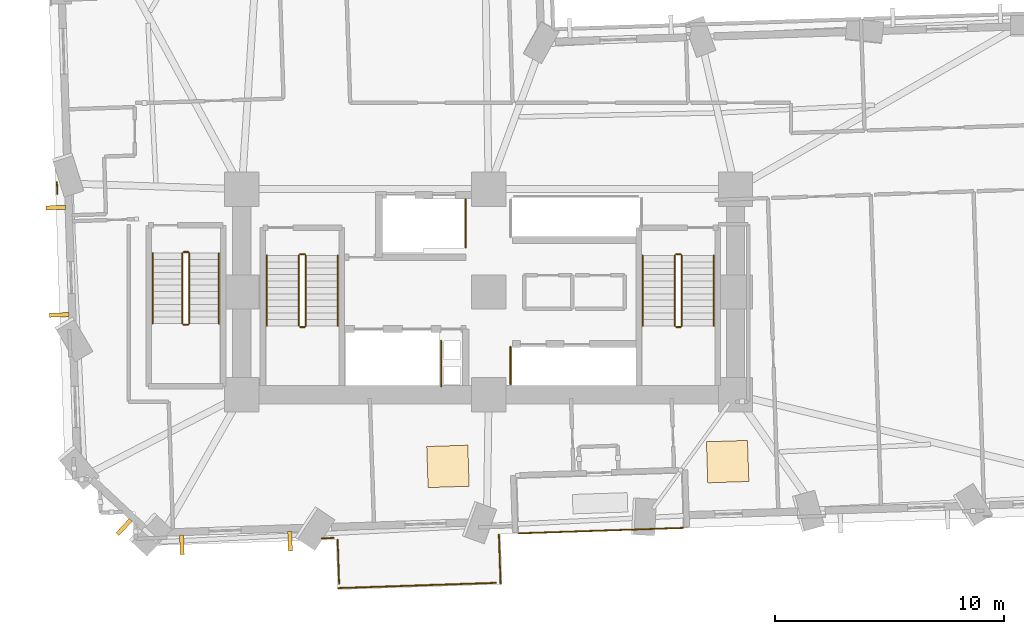
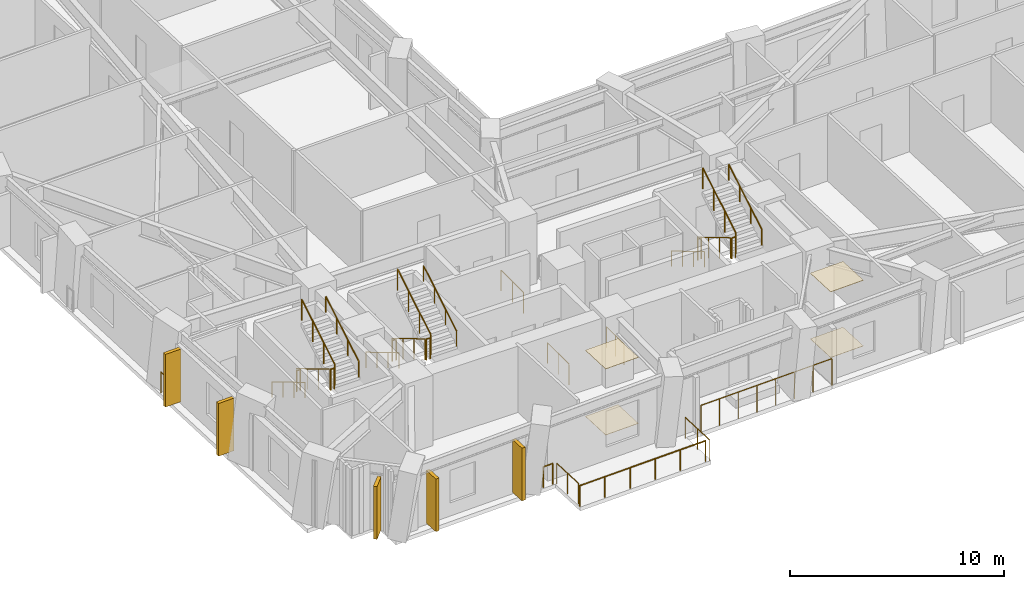
# One storey, part 11 of 14: 27 railings, 5 shading devices, 4 coverings.
"""IFC4 building model written with IfcOpenShell, lengths in metres."""

import ifcopenshell
import ifcopenshell.guid

model = None  # the IFC model being written
_history = None  # IfcOwnerHistory: only IFC2X3 demands one
_inside = {}  # id of a spatial element -> (the spatial element, [elements in it])
_under = {}  # id of a project, library or spatial element -> (it, [spatial elements below it])
_declared = {}  # id of a project -> (the project, [libraries it declares])
_typed = {}  # id of a type object -> (the type object, [elements of that type])
_made_of = {}  # id of a material, layer set ... -> (it, [elements and type objects made of it])


def new_model(schema):
    """Start an empty IFC model of exactly this schema.

    Asked for "IFC4X3", IfcOpenShell would pick the latest addendum, in which some entities
    have other attributes; the version numbers below select the first issue.
    IFC2X3 requires an IfcOwnerHistory on every rooted entity: one is made here for all.
    """
    global model, _history
    if schema == "IFC4X3":
        model = ifcopenshell.file(schema_version=(4, 3, 0, 0))
    else:
        model = ifcopenshell.file(schema=schema)
    _inside.clear()
    _under.clear()
    _declared.clear()
    _typed.clear()
    _made_of.clear()
    _history = None
    if model.schema == "IFC2X3":
        org = make("IfcOrganization", Name="unknown")
        user = make(
            "IfcPersonAndOrganization",
            ThePerson=make("IfcPerson", FamilyName="unknown"),
            TheOrganization=org,
        )
        app = make(
            "IfcApplication",
            ApplicationDeveloper=org,
            Version="unknown",
            ApplicationFullName="unknown",
            ApplicationIdentifier="unknown",
        )
        _history = make(
            "IfcOwnerHistory",
            OwningUser=user,
            OwningApplication=app,
            ChangeAction="ADDED",
            CreationDate=0,
        )
    return model


def make(cls, **values):
    """One entity of the class cls with the attributes given. An attribute that is None is left unset."""
    return model.create_entity(
        cls, **{name: value for name, value in values.items() if value is not None}
    )


def rooted(cls, **values):
    """An entity with a GlobalId (a new one), such as an element, a storey or a relation."""
    return make(cls, GlobalId=ifcopenshell.guid.new(), OwnerHistory=_history, **values)


def si_unit(unit_type, name, prefix=None):
    """IfcSIUnit, for example si_unit("LENGTHUNIT", "METRE", prefix="MILLI")."""
    return make("IfcSIUnit", UnitType=unit_type, Prefix=prefix, Name=name)


def assignment(units):
    """IfcUnitAssignment: the units of a project."""
    return None if units is None else make("IfcUnitAssignment", Units=units)


def point(xyz):
    """IfcCartesianPoint."""
    return None if xyz is None else make("IfcCartesianPoint", Coordinates=xyz)


def direction(xyz):
    """IfcDirection."""
    return None if xyz is None else make("IfcDirection", DirectionRatios=xyz)


def frame(location, z_axis=None, x_axis=None):
    """IfcAxis2Placement3D, a coordinate frame: its origin and axes. An axis left out is left unset."""
    return make(
        "IfcAxis2Placement3D",
        Location=point(location),
        Axis=direction(z_axis),
        RefDirection=direction(x_axis),
    )


def frame_2d(location, x_axis=None):
    """IfcAxis2Placement2D, a coordinate frame in the plane: its origin and x axis."""
    return make(
        "IfcAxis2Placement2D", Location=point(location), RefDirection=direction(x_axis)
    )


def origin():
    """The frame at (0, 0, 0) with its axes left unset."""
    return frame((0.0, 0.0, 0.0))


def origin_2d():
    """The frame at (0, 0) in the plane with its x axis left unset."""
    return frame_2d((0.0, 0.0))


def place(relative_to, where):
    """IfcLocalPlacement: puts the frame where relative to a parent placement (None: the world)."""
    return make(
        "IfcLocalPlacement", PlacementRelTo=relative_to, RelativePlacement=where
    )


def context(
    kind, dimensions, precision=None, world=None, true_north=None, identifier=None
):
    """IfcGeometricRepresentationContext, for example the 3D "Model" context."""
    return make(
        "IfcGeometricRepresentationContext",
        ContextIdentifier=identifier,
        ContextType=kind,
        CoordinateSpaceDimension=dimensions,
        Precision=precision,
        WorldCoordinateSystem=world,
        TrueNorth=true_north,
    )


def subcontext(parent, identifier, kind, view, scale=None):
    """IfcGeometricRepresentationSubContext, for example "Body" below "Model"."""
    return make(
        "IfcGeometricRepresentationSubContext",
        ContextIdentifier=identifier,
        ContextType=kind,
        ParentContext=parent,
        TargetScale=scale,
        TargetView=view,
    )


def project(units=None, contexts=None):
    """IfcProject with its units and contexts."""
    return rooted(
        "IfcProject",
        Name="project",
        RepresentationContexts=contexts,
        UnitsInContext=assignment(units),
    )


def spatial(cls, under=None, at=None, **own):
    """A site, building, storey or space (cls), placed at a placement, below another one or the project."""
    s = rooted(cls, ObjectPlacement=at, **own)
    if under is not None:
        _under.setdefault(under.id(), (under, []))[1].append(s)
    return s


def profile(cls, at=None, kind="AREA", **sizes):
    """A parametric profile (cls). Its sizes go by their IFC names, for example OverallWidth=200.0."""
    return make(cls, ProfileType=kind, Position=at, **sizes)


def rectangle(**sizes):
    """IfcRectangleProfileDef."""
    return profile("IfcRectangleProfileDef", **sizes)


def circle(**sizes):
    """IfcCircleProfileDef."""
    return profile("IfcCircleProfileDef", **sizes)


def extrude(swept, where, along, depth):
    """IfcExtrudedAreaSolid: the profile swept, set in the frame where, extruded along a direction by depth."""
    return make(
        "IfcExtrudedAreaSolid",
        SweptArea=swept,
        Position=where,
        ExtrudedDirection=direction(along),
        Depth=depth,
    )


def shape(context_of_items, identifier, shape_type, items):
    """IfcShapeRepresentation: the items that make up one representation, for example the "Body"."""
    return make(
        "IfcShapeRepresentation",
        ContextOfItems=context_of_items,
        RepresentationIdentifier=identifier,
        RepresentationType=shape_type,
        Items=items,
    )


def material(Name=None, Category=None):
    """IfcMaterial."""
    return make("IfcMaterial", Name=Name, Category=Category)


def layer(
    of_material, thickness, ventilated=None, Name=None, Category=None, Priority=None
):
    """IfcMaterialLayer: one layer of a wall or slab, of a material (None: an air gap)."""
    return make(
        "IfcMaterialLayer",
        Material=of_material,
        LayerThickness=thickness,
        IsVentilated=ventilated,
        Name=Name,
        Category=Category,
        Priority=Priority,
    )


def layer_set(layers, Name=None):
    """IfcMaterialLayerSet."""
    return make("IfcMaterialLayerSet", MaterialLayers=layers, LayerSetName=Name)


def made_of(thing, what):
    """Note that an element or type object is made of a material, layer set ...; save() writes the relation."""
    if what is not None:
        _made_of.setdefault(what.id(), (what, []))[1].append(thing)
    return thing


def type_object(cls, material=None, **own):
    """A type object (cls), such as IfcWallType, which elements share."""
    return made_of(rooted(cls, **own), material)


def element(
    cls,
    number,
    at=None,
    inside=None,
    cuts=None,
    type_object=None,
    material=None,
    context=None,
    identifier="Body",
    shape_type=None,
    held_by="IfcProductDefinitionShape",
    body=None,
    shapes=None,
    **own,
):
    """One element of the class cls, such as IfcWall. Its Tag is "e" and its number.

    at: its placement. inside: the storey or other place that contains it. cuts: it is an
    opening in that element (IfcRelVoidsElement). A single representation is given by context,
    identifier, shape_type and body (its items); several are given by shapes. held_by: the class
    of the entity that holds the representations. save() writes the other relations.
    """
    e = rooted(cls, Tag="e%d" % number, ObjectPlacement=at, **own)
    if body is not None:
        shapes = [shape(context, identifier, shape_type, body)]
    if shapes is not None:
        e.Representation = make(held_by, Representations=shapes)
    if inside is not None:
        _inside.setdefault(inside.id(), (inside, []))[1].append(e)
    if cuts is not None:
        rooted(
            "IfcRelVoidsElement", RelatingBuildingElement=cuts, RelatedOpeningElement=e
        )
    if type_object is not None:
        _typed.setdefault(type_object.id(), (type_object, []))[1].append(e)
    return made_of(e, material)


def aggregate(whole, parts):
    """IfcRelAggregates: a whole, such as a stair, and the parts it consists of."""
    return rooted("IfcRelAggregates", RelatingObject=whole, RelatedObjects=parts)


def save(model, path):
    """Write the relations noted so far, then the file.

    IfcRelAggregates (storeys below a building ...), IfcRelContainedInSpatialStructure (elements
    in a storey), IfcRelDefinesByType, IfcRelAssociatesMaterial and IfcRelDeclares: one each for
    every whole, place, type object, material and project.
    """
    for whole, parts in _under.values():
        aggregate(whole, parts)
    for where, things in _inside.values():
        rooted(
            "IfcRelContainedInSpatialStructure",
            RelatedElements=things,
            RelatingStructure=where,
        )
    for kind, things in _typed.values():
        rooted("IfcRelDefinesByType", RelatedObjects=things, RelatingType=kind)
    for what, things in _made_of.values():
        rooted("IfcRelAssociatesMaterial", RelatedObjects=things, RelatingMaterial=what)
    for by, libraries in _declared.values():
        rooted("IfcRelDeclares", RelatingContext=by, RelatedDefinitions=libraries)
    model.write(path)


model = new_model("IFC4")

# Units and contexts
model_context = context("Model", 3, precision=1e-05, world=origin(), true_north=direction((0.0, 1.0)))
body_context = subcontext(model_context, "Body", "Model", "MODEL_VIEW")
ifc_project = project(units=[si_unit("LENGTHUNIT", "METRE"), si_unit("AREAUNIT", "SQUARE_METRE"), si_unit("VOLUMEUNIT", "CUBIC_METRE"), si_unit("PLANEANGLEUNIT", "RADIAN"), si_unit("MASSUNIT", "GRAM", prefix="KILO")], contexts=[model_context])

# Site, building, storey
site_placement = place(None, origin())
site = spatial("IfcSite", under=ifc_project, at=site_placement, CompositionType="ELEMENT")
building_placement = place(site_placement, origin())
building = spatial("IfcBuilding", under=site, at=building_placement, Name="Gaonmaruhae Medical Tower", CompositionType="ELEMENT")
storey_placement = place(building_placement, frame((0.0, 0.0, 31.0)))
storey = spatial("IfcBuildingStorey", under=building, at=storey_placement, Name="L06", CompositionType="ELEMENT", Elevation=31.0)

# Coverings
ifc_material_1 = material(Name="Acoustic mineral ceiling tile", Category="finish")
ifc_layer_1 = layer(ifc_material_1, 0.02490234375)
ifc_layer_set_1 = layer_set([ifc_layer_1], Name="Acoustic mineral ceiling tile")
covering_type_1 = type_object("IfcCoveringType", Name="CLG-01 Antimicrobial Acoustic Mineral Ceiling", PredefinedType="CEILING", material=ifc_layer_set_1)
for number, where, z_axis, x_axis, name in (
    (1, (23.019287109375, 4.671142578125, 3.755126953125), (0.0, 0.0, 1.0), (0.999450215942, 0.033155178389, 0.0), "L06 Clinical Room Acoustic Ceiling 3"),
    (2, (35.257080078125, 4.879150390625, 3.735107421875), (0.0, 0.0, 1.0), (0.999450215942, 0.033155178389, 0.0), "L06 Clinical Room Acoustic Ceiling 4"),
):
    element("IfcCovering", number, at=place(storey_placement, frame(where, z_axis=z_axis, x_axis=x_axis)), inside=storey, type_object=covering_type_1, Name=name, PredefinedType="CEILING", context=body_context, shape_type="SweptSolid", body=[
        extrude(rectangle(XDim=1.800048828125, YDim=1.800048828125, at=origin_2d()), origin(), (0.0, 0.0, 1.0), 0.02490234375),
    ])
ifc_material_2 = material(Name="Seamless clinical vinyl flooring", Category="finish")
ifc_layer_2 = layer(ifc_material_2, 0.014892578125)
ifc_layer_set_2 = layer_set([ifc_layer_2], Name="Seamless clinical vinyl flooring")
covering_type_2 = type_object("IfcCoveringType", Name="FLR-01 Seamless Clinical Antistatic Vinyl Flooring", PredefinedType="FLOORING", material=ifc_layer_set_2)
for number, where, z_axis, x_axis, name in (
    (3, (23.019287109375, 4.671142578125, 0.0), (0.0, 0.0, 1.0), (0.999450215942, 0.033155178389, 0.0), "L06 Clinical Room Vinyl Flooring 3"),
    (4, (35.257080078125, 4.879150390625, 0.0), (0.0, 0.0, 1.0), (0.999450215942, 0.033155178389, 0.0), "L06 Clinical Room Vinyl Flooring 4"),
):
    element("IfcCovering", number, at=place(storey_placement, frame(where, z_axis=z_axis, x_axis=x_axis)), inside=storey, type_object=covering_type_2, Name=name, PredefinedType="FLOORING", context=body_context, shape_type="SweptSolid", body=[
        extrude(rectangle(XDim=1.800048828125, YDim=1.800048828125, at=origin_2d()), origin(), (0.0, 0.0, 1.0), 0.014892578125),
    ])

# Railings
ifc_material_3 = material(Name="Stainless steel 316L and laminated safety glass", Category="steel")
ifc_layer_3 = layer(ifc_material_3, 0.080078125)
ifc_layer_set_3 = layer_set([ifc_layer_3], Name="Stainless steel 316L and laminated safety glass")
railing_type_1 = type_object("IfcRailingType", Name="GD-120 Outdoor Terrace Safety Glass & Steel Balustrade", PredefinedType="BALUSTRADE", material=ifc_layer_set_3)
railing_1_placement = place(storey_placement, frame((5.927001953125, 16.586181640625, 0.0)))
element("IfcRailing", 5, at=railing_1_placement, inside=storey, type_object=railing_type_1, Name="L06 Perimeter Slab Edge Safety Balustrade 01", PredefinedType="BALUSTRADE", context=body_context, shape_type="SweptSolid", body=[
    extrude(circle(Radius=0.02392578125, at=origin_2d()), frame((0.0, 0.0, 1.17578125), z_axis=(-0.032876954172, 0.999459406822, 0.0), x_axis=(-0.999459406822, -0.032876954172, 0.0)), (0.0, 0.0, 1.0), 0.519775390625),
    extrude(circle(Radius=0.02099609375, at=origin_2d()), origin(), (0.0, 0.0, 1.0), 1.15185546875),
    extrude(circle(Radius=0.02099609375, at=origin_2d()), frame((-0.01708984375, 0.51953125, 0.0)), (0.0, 0.0, 1.0), 1.15185546875),
])
railing_2_placement = place(storey_placement, frame((25.24951171875, 1.6904296875, 0.0)))
element("IfcRailing", 6, at=railing_2_placement, inside=storey, type_object=railing_type_1, Name="L06 Perimeter Slab Edge Safety Balustrade 08", PredefinedType="BALUSTRADE", context=body_context, shape_type="SweptSolid", body=[
    extrude(circle(Radius=0.02392578125, at=origin_2d()), frame((0.0, 0.0, 1.17578125), z_axis=(0.033232030432, -0.999447663539, 0.0), x_axis=(0.999447663539, 0.033232030432, 0.0)), (0.0, 0.0, 1.0), 2.159912109375),
    extrude(circle(Radius=0.02099609375, at=origin_2d()), origin(), (0.0, 0.0, 1.0), 1.15185546875),
    extrude(circle(Radius=0.02099609375, at=origin_2d()), frame((0.035888671875, -1.079345703125, 0.0)), (0.0, 0.0, 1.0), 1.15185546875),
    extrude(circle(Radius=0.02099609375, at=origin_2d()), frame((0.07177734375, -2.15869140625, 0.0)), (0.0, 0.0, 1.0), 1.15185546875),
])
railing_3_placement = place(storey_placement, frame((25.118408203125, -0.425048828125, 0.0)))
element("IfcRailing", 7, at=railing_3_placement, inside=storey, type_object=railing_type_1, Name="L06 Perimeter Slab Edge Safety Balustrade 09", PredefinedType="BALUSTRADE", context=body_context, shape_type="SweptSolid", body=[
    extrude(circle(Radius=0.02392578125, at=origin_2d()), frame((0.0, 0.0, 1.17578125), z_axis=(-0.999449330025, -0.033181873242, 0.0), x_axis=(0.033181873242, -0.999449330025, 0.0)), (0.0, 0.0, 1.0), 6.908935546875),
    extrude(circle(Radius=0.02099609375, at=origin_2d()), origin(), (0.0, 0.0, 1.0), 1.15185546875),
    extrude(circle(Radius=0.02099609375, at=origin_2d()), frame((-1.381103515625, -0.0458984375, 0.0)), (0.0, 0.0, 1.0), 1.15185546875),
    extrude(circle(Radius=0.02099609375, at=origin_2d()), frame((-2.761962890625, -0.091796875, 0.0)), (0.0, 0.0, 1.0), 1.15185546875),
    extrude(circle(Radius=0.02099609375, at=origin_2d()), frame((-4.14306640625, -0.137451171875, 0.0)), (0.0, 0.0, 1.0), 1.15185546875),
    extrude(circle(Radius=0.02099609375, at=origin_2d()), frame((-5.52392578125, -0.183349609375, 0.0)), (0.0, 0.0, 1.0), 1.15185546875),
    extrude(circle(Radius=0.02099609375, at=origin_2d()), frame((-6.905029296875, -0.229248046875, 0.0)), (0.0, 0.0, 1.0), 1.15185546875),
])
railing_4_placement = place(storey_placement, frame((18.257080078125, -0.464111328125, 0.0)))
element("IfcRailing", 8, at=railing_4_placement, inside=storey, type_object=railing_type_1, Name="L06 Perimeter Slab Edge Safety Balustrade 10", PredefinedType="BALUSTRADE", context=body_context, shape_type="SweptSolid", body=[
    extrude(circle(Radius=0.02392578125, at=origin_2d()), frame((0.0, 0.0, 1.17578125), z_axis=(-0.033035607119, 0.999454175369, 0.0), x_axis=(-0.999454175369, -0.033035607119, 0.0)), (0.0, 0.0, 1.0), 1.92138671875),
    extrude(circle(Radius=0.02099609375, at=origin_2d()), origin(), (0.0, 0.0, 1.0), 1.15185546875),
    extrude(circle(Radius=0.02099609375, at=origin_2d()), frame((-0.03173828125, 0.960205078125, 0.0)), (0.0, 0.0, 1.0), 1.15185546875),
    extrude(circle(Radius=0.02099609375, at=origin_2d()), frame((-0.0634765625, 1.92041015625, 0.0)), (0.0, 0.0, 1.0), 1.15185546875),
])
railing_5_placement = place(storey_placement, frame((18.02197265625, 1.540771484375, 0.0)))
element("IfcRailing", 9, at=railing_5_placement, inside=storey, type_object=railing_type_1, Name="L06 Perimeter Slab Edge Safety Balustrade 11", PredefinedType="BALUSTRADE", context=body_context, shape_type="SweptSolid", body=[
    extrude(circle(Radius=0.02392578125, at=origin_2d()), frame((0.0, 0.0, 1.17578125), z_axis=(-0.999439133763, -0.033487578338, 0.0), x_axis=(0.033487578338, -0.999439133763, 0.0)), (0.0, 0.0, 1.0), 0.517578125),
    extrude(circle(Radius=0.02099609375, at=origin_2d()), origin(), (0.0, 0.0, 1.0), 1.15185546875),
    extrude(circle(Radius=0.02099609375, at=origin_2d()), frame((-0.517333984375, -0.017333984375, 0.0)), (0.0, 0.0, 1.0), 1.15185546875),
])
ifc_layer_4 = layer(ifc_material_3, 0.080078125)
ifc_layer_set_4 = layer_set([ifc_layer_4], Name="Stainless steel 316L and laminated safety glass")
railing_type_2 = type_object("IfcRailingType", Name="GD-155 Planter-Edge Raised Safety Balustrade", PredefinedType="BALUSTRADE", material=ifc_layer_set_4)
railing_6_placement = place(storey_placement, frame((26.118408203125, 1.7392578125, 0.0)))
element("IfcRailing", 10, at=railing_6_placement, inside=storey, type_object=railing_type_2, Name="L06 Terrace Safety Guard RL-SLB-L06-TER-01", PredefinedType="BALUSTRADE", context=body_context, shape_type="SweptSolid", body=[
    extrude(circle(Radius=0.02392578125, at=origin_2d()), frame((0.0, 0.0, 1.52587890625), z_axis=(0.999449975971, 0.033162411416, 0.0), x_axis=(-0.033162411416, 0.999449975971, 0.0)), (0.0, 0.0, 1.0), 7.199951171875),
    extrude(circle(Radius=0.02099609375, at=origin_2d()), origin(), (0.0, 0.0, 1.0), 1.501953125),
    extrude(circle(Radius=0.02099609375, at=origin_2d()), frame((1.028076171875, 0.0341796875, 0.0)), (0.0, 0.0, 1.0), 1.501953125),
    extrude(circle(Radius=0.02099609375, at=origin_2d()), frame((2.055908203125, 0.068115234375, 0.0)), (0.0, 0.0, 1.0), 1.501953125),
    extrude(circle(Radius=0.02099609375, at=origin_2d()), frame((3.083984375, 0.102294921875, 0.0)), (0.0, 0.0, 1.0), 1.501953125),
    extrude(circle(Radius=0.02099609375, at=origin_2d()), frame((4.112060546875, 0.136474609375, 0.0)), (0.0, 0.0, 1.0), 1.501953125),
    extrude(circle(Radius=0.02099609375, at=origin_2d()), frame((5.14013671875, 0.170654296875, 0.0)), (0.0, 0.0, 1.0), 1.501953125),
    extrude(circle(Radius=0.02099609375, at=origin_2d()), frame((6.16796875, 0.20458984375, 0.0)), (0.0, 0.0, 1.0), 1.501953125),
    extrude(circle(Radius=0.02099609375, at=origin_2d()), frame((7.196044921875, 0.23876953125, 0.0)), (0.0, 0.0, 1.0), 1.501953125),
])
ifc_material_4 = material(Name="Stainless steel 304 handrail", Category="steel")
railing_type_3 = type_object("IfcRailingType", Name="HR-092 Continuous Stainless Steel Stair Handrail", PredefinedType="HANDRAIL", material=ifc_material_4)
railing_7_placement = place(storey_placement, frame((15.10009765625, 13.89990234375, 0.166748046875)))
element("IfcRailing", 11, at=railing_7_placement, inside=storey, type_object=railing_type_3, Name="L06 ST-01 stair handrail 1", PredefinedType="HANDRAIL", context=body_context, shape_type="SweptSolid", body=[
    extrude(circle(Radius=0.02392578125, at=origin_2d()), frame((0.0, 0.0, 0.8759765625), z_axis=(0.0, -0.859290745958, 0.51148745235), x_axis=(1.0, 0.0, 0.0)), (0.0, 0.0, 1.0), 3.584228515625),
    extrude(circle(Radius=0.02099609375, at=origin_2d()), origin(), (0.0, 0.0, 1.0), 0.851806640625),
    extrude(circle(Radius=0.02099609375, at=origin_2d()), frame((0.0, -1.026611328125, 0.611083984375)), (0.0, 0.0, 1.0), 0.851806640625),
    extrude(circle(Radius=0.02099609375, at=origin_2d()), frame((0.0, -2.05322265625, 1.22216796875)), (0.0, 0.0, 1.0), 0.851806640625),
    extrude(circle(Radius=0.02099609375, at=origin_2d()), frame((0.0, -3.079833984375, 1.833251953125)), (0.0, 0.0, 1.0), 0.851806640625),
])
railing_8_placement = place(storey_placement, frame((18.199951171875, 10.820068359375, 2.166748046875)))
element("IfcRailing", 12, at=railing_8_placement, inside=storey, type_object=railing_type_3, Name="L06 ST-01 stair handrail 2", PredefinedType="HANDRAIL", context=body_context, shape_type="SweptSolid", body=[
    extrude(circle(Radius=0.02392578125, at=origin_2d()), frame((0.0, 0.0, 0.8759765625), z_axis=(0.0, 0.859290745958, 0.51148745235), x_axis=(-1.0, 0.0, 0.0)), (0.0, 0.0, 1.0), 3.584228515625),
    extrude(circle(Radius=0.02099609375, at=origin_2d()), origin(), (0.0, 0.0, 1.0), 0.851806640625),
    extrude(circle(Radius=0.02099609375, at=origin_2d()), frame((0.0, 1.026611328125, 0.611083984375)), (0.0, 0.0, 1.0), 0.851806640625),
    extrude(circle(Radius=0.02099609375, at=origin_2d()), frame((0.0, 2.05322265625, 1.22216796875)), (0.0, 0.0, 1.0), 0.851806640625),
    extrude(circle(Radius=0.02099609375, at=origin_2d()), frame((0.0, 3.079833984375, 1.833251953125)), (0.0, 0.0, 1.0), 0.851806640625),
])
railing_9_placement = place(storey_placement, frame((31.550048828125, 13.89990234375, 0.166748046875)))
element("IfcRailing", 13, at=railing_9_placement, inside=storey, type_object=railing_type_3, Name="L06 ST-02 stair handrail 1", PredefinedType="HANDRAIL", context=body_context, shape_type="SweptSolid", body=[
    extrude(circle(Radius=0.02392578125, at=origin_2d()), frame((0.0, 0.0, 0.8759765625), z_axis=(0.0, -0.859290745958, 0.51148745235), x_axis=(1.0, 0.0, 0.0)), (0.0, 0.0, 1.0), 3.584228515625),
    extrude(circle(Radius=0.02099609375, at=origin_2d()), origin(), (0.0, 0.0, 1.0), 0.851806640625),
    extrude(circle(Radius=0.02099609375, at=origin_2d()), frame((0.0, -1.026611328125, 0.611083984375)), (0.0, 0.0, 1.0), 0.851806640625),
    extrude(circle(Radius=0.02099609375, at=origin_2d()), frame((0.0, -2.05322265625, 1.22216796875)), (0.0, 0.0, 1.0), 0.851806640625),
    extrude(circle(Radius=0.02099609375, at=origin_2d()), frame((0.0, -3.079833984375, 1.833251953125)), (0.0, 0.0, 1.0), 0.851806640625),
])
railing_10_placement = place(storey_placement, frame((34.64990234375, 10.820068359375, 2.166748046875)))
element("IfcRailing", 14, at=railing_10_placement, inside=storey, type_object=railing_type_3, Name="L06 ST-02 stair handrail 2", PredefinedType="HANDRAIL", context=body_context, shape_type="SweptSolid", body=[
    extrude(circle(Radius=0.02392578125, at=origin_2d()), frame((0.0, 0.0, 0.8759765625), z_axis=(0.0, 0.859290745958, 0.51148745235), x_axis=(-1.0, 0.0, 0.0)), (0.0, 0.0, 1.0), 3.584228515625),
    extrude(circle(Radius=0.02099609375, at=origin_2d()), origin(), (0.0, 0.0, 1.0), 0.851806640625),
    extrude(circle(Radius=0.02099609375, at=origin_2d()), frame((0.0, 1.026611328125, 0.611083984375)), (0.0, 0.0, 1.0), 0.851806640625),
    extrude(circle(Radius=0.02099609375, at=origin_2d()), frame((0.0, 2.05322265625, 1.22216796875)), (0.0, 0.0, 1.0), 0.851806640625),
    extrude(circle(Radius=0.02099609375, at=origin_2d()), frame((0.0, 3.079833984375, 1.833251953125)), (0.0, 0.0, 1.0), 0.851806640625),
])
railing_11_placement = place(storey_placement, frame((10.10009765625, 14.0, 0.166748046875)))
element("IfcRailing", 15, at=railing_11_placement, inside=storey, type_object=railing_type_3, Name="L06 ST-03 stair handrail 1", PredefinedType="HANDRAIL", context=body_context, shape_type="SweptSolid", body=[
    extrude(circle(Radius=0.02392578125, at=origin_2d()), frame((0.0, 0.0, 0.8759765625), z_axis=(0.0, -0.859308565015, 0.511457515432), x_axis=(1.0, 0.0, 0.0)), (0.0, 0.0, 1.0), 3.58447265625),
    extrude(circle(Radius=0.02099609375, at=origin_2d()), origin(), (0.0, 0.0, 1.0), 0.851806640625),
    extrude(circle(Radius=0.02099609375, at=origin_2d()), frame((0.0, -1.026611328125, 0.611083984375)), (0.0, 0.0, 1.0), 0.851806640625),
    extrude(circle(Radius=0.02099609375, at=origin_2d()), frame((0.0, -2.053466796875, 1.22216796875)), (0.0, 0.0, 1.0), 0.851806640625),
    extrude(circle(Radius=0.02099609375, at=origin_2d()), frame((0.0, -3.080078125, 1.833251953125)), (0.0, 0.0, 1.0), 0.851806640625),
])
railing_12_placement = place(storey_placement, frame((13.0, 10.919921875, 2.166748046875)))
element("IfcRailing", 16, at=railing_12_placement, inside=storey, type_object=railing_type_3, Name="L06 ST-03 stair handrail 2", PredefinedType="HANDRAIL", context=body_context, shape_type="SweptSolid", body=[
    extrude(circle(Radius=0.02392578125, at=origin_2d()), frame((0.0, 0.0, 0.8759765625), z_axis=(0.0, 0.859308565015, 0.511457515432), x_axis=(-1.0, 0.0, 0.0)), (0.0, 0.0, 1.0), 3.58447265625),
    extrude(circle(Radius=0.02099609375, at=origin_2d()), origin(), (0.0, 0.0, 1.0), 0.851806640625),
    extrude(circle(Radius=0.02099609375, at=origin_2d()), frame((0.0, 1.026611328125, 0.611083984375)), (0.0, 0.0, 1.0), 0.851806640625),
    extrude(circle(Radius=0.02099609375, at=origin_2d()), frame((0.0, 2.053466796875, 1.22216796875)), (0.0, 0.0, 1.0), 0.851806640625),
    extrude(circle(Radius=0.02099609375, at=origin_2d()), frame((0.0, 3.080078125, 1.833251953125)), (0.0, 0.0, 1.0), 0.851806640625),
])

# Shading devices
ifc_material_5 = material(Name="Pigmented coral precast concrete C45/55", Category="concrete")
shading_device_type = type_object("IfcShadingDeviceType", Name="SD-FIN1 Tower Vertical Coral Precast Shading Fin", PredefinedType="USERDEFINED", material=ifc_material_5)
for number, where, z_axis, x_axis, name in (
    (17, (16.11083984375, 1.392333984375, 0.08251953125), (0.0, 0.0, 1.0), (-0.999450215942, -0.033155178389, 0.0), "L06 Vertical Coral Precast Shading Fin S01"),
    (18, (11.37890625, 1.2353515625, 0.08251953125), (0.0, 0.0, 1.0), (-0.999450215942, -0.033155178389, 0.0), "L06 Vertical Coral Precast Shading Fin S01B"),
    (19, (6.017578125, 11.29833984375, 0.08251953125), (0.0, 0.0, 1.0), (-0.033155178389, 0.999450215942, 0.0), "L06 Vertical Coral Precast Shading Fin W05"),
    (20, (5.86181640625, 15.992919921875, 0.08251953125), (0.0, 0.0, 1.0), (-0.033155178389, 0.999450215942, 0.0), "L06 Vertical Coral Precast Shading Fin W05B"),
    (21, (8.846435546875, 2.01318359375, 0.08251953125), (0.0, 0.0, 1.0), (-0.730162276621, 0.683273773681, 0.0), "L06 Vertical Coral Precast Shading Fin W07"),
):
    element("IfcShadingDevice", number, at=place(storey_placement, frame(where, z_axis=z_axis, x_axis=x_axis)), inside=storey, type_object=shading_device_type, Name=name, ObjectType="FIN", PredefinedType="USERDEFINED", context=body_context, shape_type="SweptSolid", body=[
        extrude(rectangle(XDim=0.179931640625, YDim=0.85009765625, at=origin_2d()), origin(), (0.0, 0.0, 1.0), 3.0),
    ])

# Railings
ifc_material_6 = material(Name="Stainless steel 304 balustrade", Category="steel")
railing_type_4 = type_object("IfcRailingType", Name="SG-112 Stair Well & Ramp Void Safety Balustrade", PredefinedType="BALUSTRADE", material=ifc_material_6)
railing_13_placement = place(storey_placement, frame((16.5, 13.89990234375, 0.166748046875)))
element("IfcRailing", 22, at=railing_13_placement, inside=storey, type_object=railing_type_4, Name="L06 ST-01 stair guard 1", PredefinedType="BALUSTRADE", context=body_context, shape_type="SweptSolid", body=[
    extrude(circle(Radius=0.02392578125, at=origin_2d()), frame((0.0, 0.0, 1.17578125), z_axis=(0.0, -0.859290745958, 0.51148745235), x_axis=(1.0, 0.0, 0.0)), (0.0, 0.0, 1.0), 3.584228515625),
    extrude(circle(Radius=0.02099609375, at=origin_2d()), origin(), (0.0, 0.0, 1.0), 1.15185546875),
    extrude(circle(Radius=0.02099609375, at=origin_2d()), frame((0.0, -1.026611328125, 0.611083984375)), (0.0, 0.0, 1.0), 1.15185546875),
    extrude(circle(Radius=0.02099609375, at=origin_2d()), frame((0.0, -2.05322265625, 1.22216796875)), (0.0, 0.0, 1.0), 1.15185546875),
    extrude(circle(Radius=0.02099609375, at=origin_2d()), frame((0.0, -3.079833984375, 1.833251953125)), (0.0, 0.0, 1.0), 1.15185546875),
])
railing_14_placement = place(storey_placement, frame((16.550048828125, 10.77001953125, 2.0)))
element("IfcRailing", 23, at=railing_14_placement, inside=storey, type_object=railing_type_4, Name="L06 ST-01 stair guard 2", PredefinedType="BALUSTRADE", context=body_context, shape_type="SweptSolid", body=[
    extrude(circle(Radius=0.02392578125, at=origin_2d()), frame((0.0, 0.0, 1.17578125), z_axis=(1.0, 0.0, 0.0), x_axis=(0.0, 1.0, 0.0)), (0.0, 0.0, 1.0), 0.199951171875),
    extrude(circle(Radius=0.02099609375, at=origin_2d()), origin(), (0.0, 0.0, 1.0), 1.15185546875),
    extrude(circle(Radius=0.02099609375, at=origin_2d()), frame((0.199951171875, 0.0, 0.0)), (0.0, 0.0, 1.0), 1.15185546875),
])
railing_15_placement = place(storey_placement, frame((16.800048828125, 10.820068359375, 2.166748046875)))
element("IfcRailing", 24, at=railing_15_placement, inside=storey, type_object=railing_type_4, Name="L06 ST-01 stair guard 3", PredefinedType="BALUSTRADE", context=body_context, shape_type="SweptSolid", body=[
    extrude(circle(Radius=0.02392578125, at=origin_2d()), frame((0.0, 0.0, 1.17578125), z_axis=(0.0, 0.859290745958, 0.51148745235), x_axis=(-1.0, 0.0, 0.0)), (0.0, 0.0, 1.0), 3.584228515625),
    extrude(circle(Radius=0.02099609375, at=origin_2d()), origin(), (0.0, 0.0, 1.0), 1.15185546875),
    extrude(circle(Radius=0.02099609375, at=origin_2d()), frame((0.0, 1.026611328125, 0.611083984375)), (0.0, 0.0, 1.0), 1.15185546875),
    extrude(circle(Radius=0.02099609375, at=origin_2d()), frame((0.0, 2.05322265625, 1.22216796875)), (0.0, 0.0, 1.0), 1.15185546875),
    extrude(circle(Radius=0.02099609375, at=origin_2d()), frame((0.0, 3.079833984375, 1.833251953125)), (0.0, 0.0, 1.0), 1.15185546875),
])
railing_16_placement = place(storey_placement, frame((16.550048828125, 13.949951171875, 0.0)))
element("IfcRailing", 25, at=railing_16_placement, inside=storey, type_object=railing_type_4, Name="L06 ST-01 stair guard 4", PredefinedType="BALUSTRADE", context=body_context, shape_type="SweptSolid", body=[
    extrude(circle(Radius=0.02392578125, at=origin_2d()), frame((0.0, 0.0, 1.17578125), z_axis=(1.0, 0.0, 0.0), x_axis=(0.0, 1.0, 0.0)), (0.0, 0.0, 1.0), 0.199951171875),
    extrude(circle(Radius=0.02099609375, at=origin_2d()), origin(), (0.0, 0.0, 1.0), 1.15185546875),
    extrude(circle(Radius=0.02099609375, at=origin_2d()), frame((0.199951171875, 0.0, 0.0)), (0.0, 0.0, 1.0), 1.15185546875),
])
railing_17_placement = place(storey_placement, frame((32.949951171875, 13.89990234375, 0.166748046875)))
element("IfcRailing", 26, at=railing_17_placement, inside=storey, type_object=railing_type_4, Name="L06 ST-02 stair guard 1", PredefinedType="BALUSTRADE", context=body_context, shape_type="SweptSolid", body=[
    extrude(circle(Radius=0.02392578125, at=origin_2d()), frame((0.0, 0.0, 1.17578125), z_axis=(0.0, -0.859290745958, 0.51148745235), x_axis=(1.0, 0.0, 0.0)), (0.0, 0.0, 1.0), 3.584228515625),
    extrude(circle(Radius=0.02099609375, at=origin_2d()), origin(), (0.0, 0.0, 1.0), 1.15185546875),
    extrude(circle(Radius=0.02099609375, at=origin_2d()), frame((0.0, -1.026611328125, 0.611083984375)), (0.0, 0.0, 1.0), 1.15185546875),
    extrude(circle(Radius=0.02099609375, at=origin_2d()), frame((0.0, -2.05322265625, 1.22216796875)), (0.0, 0.0, 1.0), 1.15185546875),
    extrude(circle(Radius=0.02099609375, at=origin_2d()), frame((0.0, -3.079833984375, 1.833251953125)), (0.0, 0.0, 1.0), 1.15185546875),
])
railing_18_placement = place(storey_placement, frame((33.0, 10.77001953125, 2.0)))
element("IfcRailing", 27, at=railing_18_placement, inside=storey, type_object=railing_type_4, Name="L06 ST-02 stair guard 2", PredefinedType="BALUSTRADE", context=body_context, shape_type="SweptSolid", body=[
    extrude(circle(Radius=0.02392578125, at=origin_2d()), frame((0.0, 0.0, 1.17578125), z_axis=(1.0, 0.0, 0.0), x_axis=(0.0, 1.0, 0.0)), (0.0, 0.0, 1.0), 0.199951171875),
    extrude(circle(Radius=0.02099609375, at=origin_2d()), origin(), (0.0, 0.0, 1.0), 1.15185546875),
    extrude(circle(Radius=0.02099609375, at=origin_2d()), frame((0.199951171875, 0.0, 0.0)), (0.0, 0.0, 1.0), 1.15185546875),
])
railing_19_placement = place(storey_placement, frame((33.25, 10.820068359375, 2.166748046875)))
element("IfcRailing", 28, at=railing_19_placement, inside=storey, type_object=railing_type_4, Name="L06 ST-02 stair guard 3", PredefinedType="BALUSTRADE", context=body_context, shape_type="SweptSolid", body=[
    extrude(circle(Radius=0.02392578125, at=origin_2d()), frame((0.0, 0.0, 1.17578125), z_axis=(0.0, 0.859290745958, 0.51148745235), x_axis=(-1.0, 0.0, 0.0)), (0.0, 0.0, 1.0), 3.584228515625),
    extrude(circle(Radius=0.02099609375, at=origin_2d()), origin(), (0.0, 0.0, 1.0), 1.15185546875),
    extrude(circle(Radius=0.02099609375, at=origin_2d()), frame((0.0, 1.026611328125, 0.611083984375)), (0.0, 0.0, 1.0), 1.15185546875),
    extrude(circle(Radius=0.02099609375, at=origin_2d()), frame((0.0, 2.05322265625, 1.22216796875)), (0.0, 0.0, 1.0), 1.15185546875),
    extrude(circle(Radius=0.02099609375, at=origin_2d()), frame((0.0, 3.079833984375, 1.833251953125)), (0.0, 0.0, 1.0), 1.15185546875),
])
railing_20_placement = place(storey_placement, frame((33.0, 13.949951171875, 0.0)))
element("IfcRailing", 29, at=railing_20_placement, inside=storey, type_object=railing_type_4, Name="L06 ST-02 stair guard 4", PredefinedType="BALUSTRADE", context=body_context, shape_type="SweptSolid", body=[
    extrude(circle(Radius=0.02392578125, at=origin_2d()), frame((0.0, 0.0, 1.17578125), z_axis=(1.0, 0.0, 0.0), x_axis=(0.0, 1.0, 0.0)), (0.0, 0.0, 1.0), 0.199951171875),
    extrude(circle(Radius=0.02099609375, at=origin_2d()), origin(), (0.0, 0.0, 1.0), 1.15185546875),
    extrude(circle(Radius=0.02099609375, at=origin_2d()), frame((0.199951171875, 0.0, 0.0)), (0.0, 0.0, 1.0), 1.15185546875),
])
railing_21_placement = place(storey_placement, frame((11.39990234375, 14.0, 0.166748046875)))
element("IfcRailing", 30, at=railing_21_placement, inside=storey, type_object=railing_type_4, Name="L06 ST-03 stair guard 1", PredefinedType="BALUSTRADE", context=body_context, shape_type="SweptSolid", body=[
    extrude(circle(Radius=0.02392578125, at=origin_2d()), frame((0.0, 0.0, 1.17578125), z_axis=(0.0, -0.859308565015, 0.511457515432), x_axis=(1.0, 0.0, 0.0)), (0.0, 0.0, 1.0), 3.58447265625),
    extrude(circle(Radius=0.02099609375, at=origin_2d()), origin(), (0.0, 0.0, 1.0), 1.15185546875),
    extrude(circle(Radius=0.02099609375, at=origin_2d()), frame((0.0, -1.026611328125, 0.611083984375)), (0.0, 0.0, 1.0), 1.15185546875),
    extrude(circle(Radius=0.02099609375, at=origin_2d()), frame((0.0, -2.053466796875, 1.22216796875)), (0.0, 0.0, 1.0), 1.15185546875),
    extrude(circle(Radius=0.02099609375, at=origin_2d()), frame((0.0, -3.080078125, 1.833251953125)), (0.0, 0.0, 1.0), 1.15185546875),
])
railing_22_placement = place(storey_placement, frame((11.449951171875, 10.8701171875, 2.0)))
element("IfcRailing", 31, at=railing_22_placement, inside=storey, type_object=railing_type_4, Name="L06 ST-03 stair guard 2", PredefinedType="BALUSTRADE", context=body_context, shape_type="SweptSolid", body=[
    extrude(circle(Radius=0.02392578125, at=origin_2d()), frame((0.0, 0.0, 1.17578125), z_axis=(1.0, 0.0, 0.0), x_axis=(0.0, 1.0, 0.0)), (0.0, 0.0, 1.0), 0.199951171875),
    extrude(circle(Radius=0.02099609375, at=origin_2d()), origin(), (0.0, 0.0, 1.0), 1.15185546875),
    extrude(circle(Radius=0.02099609375, at=origin_2d()), frame((0.199951171875, 0.0, 0.0)), (0.0, 0.0, 1.0), 1.15185546875),
])
railing_23_placement = place(storey_placement, frame((11.699951171875, 10.919921875, 2.166748046875)))
element("IfcRailing", 32, at=railing_23_placement, inside=storey, type_object=railing_type_4, Name="L06 ST-03 stair guard 3", PredefinedType="BALUSTRADE", context=body_context, shape_type="SweptSolid", body=[
    extrude(circle(Radius=0.02392578125, at=origin_2d()), frame((0.0, 0.0, 1.17578125), z_axis=(0.0, 0.859308565015, 0.511457515432), x_axis=(-1.0, 0.0, 0.0)), (0.0, 0.0, 1.0), 3.58447265625),
    extrude(circle(Radius=0.02099609375, at=origin_2d()), origin(), (0.0, 0.0, 1.0), 1.15185546875),
    extrude(circle(Radius=0.02099609375, at=origin_2d()), frame((0.0, 1.026611328125, 0.611083984375)), (0.0, 0.0, 1.0), 1.15185546875),
    extrude(circle(Radius=0.02099609375, at=origin_2d()), frame((0.0, 2.053466796875, 1.22216796875)), (0.0, 0.0, 1.0), 1.15185546875),
    extrude(circle(Radius=0.02099609375, at=origin_2d()), frame((0.0, 3.080078125, 1.833251953125)), (0.0, 0.0, 1.0), 1.15185546875),
])
railing_24_placement = place(storey_placement, frame((11.449951171875, 14.050048828125, 0.0)))
element("IfcRailing", 33, at=railing_24_placement, inside=storey, type_object=railing_type_4, Name="L06 ST-03 stair guard 4", PredefinedType="BALUSTRADE", context=body_context, shape_type="SweptSolid", body=[
    extrude(circle(Radius=0.02392578125, at=origin_2d()), frame((0.0, 0.0, 1.17578125), z_axis=(1.0, 0.0, 0.0), x_axis=(0.0, 1.0, 0.0)), (0.0, 0.0, 1.0), 0.199951171875),
    extrude(circle(Radius=0.02099609375, at=origin_2d()), origin(), (0.0, 0.0, 1.0), 1.15185546875),
    extrude(circle(Radius=0.02099609375, at=origin_2d()), frame((0.199951171875, 0.0, 0.0)), (0.0, 0.0, 1.0), 1.15185546875),
])
railing_25_placement = place(storey_placement, frame((25.7548828125, 8.27001953125, 0.0)))
element("IfcRailing", 34, at=railing_25_placement, inside=storey, type_object=railing_type_4, Name="L06 Shaft Edge Safety Guard 13", PredefinedType="BALUSTRADE", context=body_context, shape_type="SweptSolid", body=[
    extrude(circle(Radius=0.02392578125, at=origin_2d()), frame((0.0, 0.0, 1.17578125), z_axis=(0.0, 1.0, 0.0), x_axis=(-1.0, 0.0, 0.0)), (0.0, 0.0, 1.0), 1.635009765625),
    extrude(circle(Radius=0.02099609375, at=origin_2d()), origin(), (0.0, 0.0, 1.0), 1.15185546875),
    extrude(circle(Radius=0.02099609375, at=origin_2d()), frame((0.0, 0.8173828125, 0.0)), (0.0, 0.0, 1.0), 1.15185546875),
    extrude(circle(Radius=0.02099609375, at=origin_2d()), frame((0.0, 1.635009765625, 0.0)), (0.0, 0.0, 1.0), 1.15185546875),
])
railing_26_placement = place(storey_placement, frame((22.719970703125, 10.159912109375, 0.0)))
element("IfcRailing", 35, at=railing_26_placement, inside=storey, type_object=railing_type_4, Name="L06 Shaft Edge Safety Guard 14", PredefinedType="BALUSTRADE", context=body_context, shape_type="SweptSolid", body=[
    extrude(circle(Radius=0.02392578125, at=origin_2d()), frame((0.0, 0.0, 1.17578125), z_axis=(0.0, -1.0, 0.0), x_axis=(1.0, 0.0, 0.0)), (0.0, 0.0, 1.0), 1.994873046875),
    extrude(circle(Radius=0.02099609375, at=origin_2d()), origin(), (0.0, 0.0, 1.0), 1.15185546875),
    extrude(circle(Radius=0.02099609375, at=origin_2d()), frame((0.0, -0.99755859375, 0.0)), (0.0, 0.0, 1.0), 1.15185546875),
    extrude(circle(Radius=0.02099609375, at=origin_2d()), frame((0.0, -1.994873046875, 0.0)), (0.0, 0.0, 1.0), 1.15185546875),
])
railing_27_placement = place(storey_placement, frame((23.794921875, 16.35498046875, 0.0)))
element("IfcRailing", 36, at=railing_27_placement, inside=storey, type_object=railing_type_4, Name="L06 Shaft Edge Safety Guard 15", PredefinedType="BALUSTRADE", context=body_context, shape_type="SweptSolid", body=[
    extrude(circle(Radius=0.02392578125, at=origin_2d()), frame((0.0, 0.0, 1.17578125), z_axis=(0.0, -1.0, 0.0), x_axis=(1.0, 0.0, 0.0)), (0.0, 0.0, 1.0), 2.10986328125),
    extrude(circle(Radius=0.02099609375, at=origin_2d()), origin(), (0.0, 0.0, 1.0), 1.15185546875),
    extrude(circle(Radius=0.02099609375, at=origin_2d()), frame((0.0, -1.054931640625, 0.0)), (0.0, 0.0, 1.0), 1.15185546875),
    extrude(circle(Radius=0.02099609375, at=origin_2d()), frame((0.0, -2.10986328125, 0.0)), (0.0, 0.0, 1.0), 1.15185546875),
])

save(model, "model.ifc")
